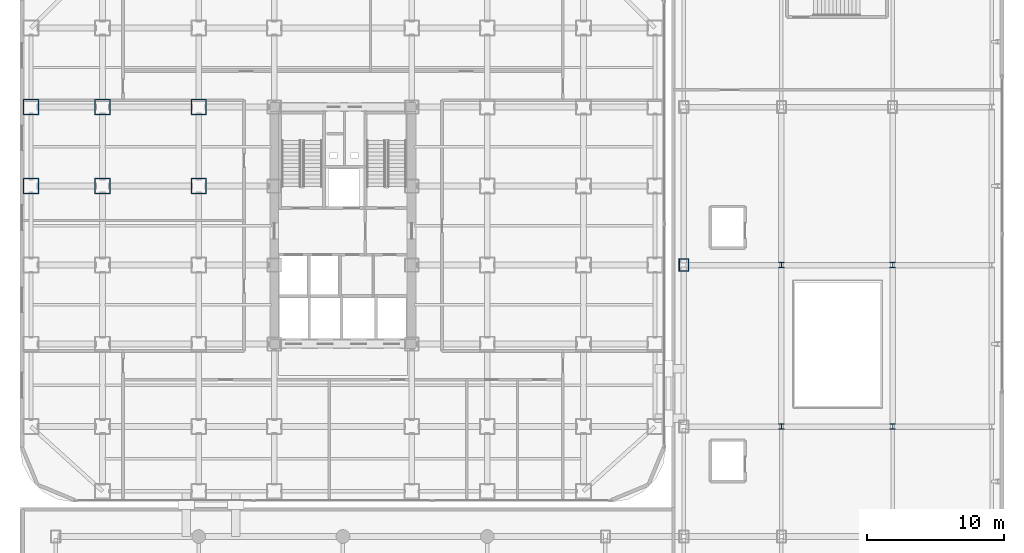
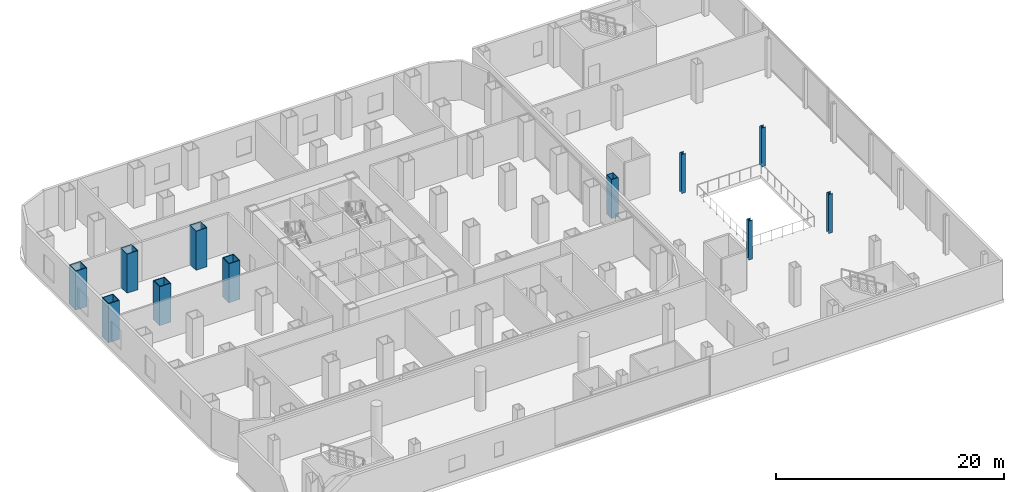
# One storey, part 2 of 26: 11 columns.
"""IFC4 building model written with IfcOpenShell, lengths in metres."""

from ifc_helpers import new_model, si_unit, direction, frame, origin, origin_2d, place, context, subcontext, project, spatial, hollow_rectangle, i_section, extrude, source, transform, mapped, material, material_profile, profile_set, type_object, element, save


model = new_model("IFC4")

# Units and contexts
model_context = context("Model", 3, precision=1e-05, world=origin(), true_north=direction((0.0, 1.0)))
body_context = subcontext(model_context, "Body", "Model", "MODEL_VIEW")
ifc_project = project(units=[si_unit("LENGTHUNIT", "METRE"), si_unit("AREAUNIT", "SQUARE_METRE"), si_unit("VOLUMEUNIT", "CUBIC_METRE"), si_unit("PLANEANGLEUNIT", "RADIAN"), si_unit("MASSUNIT", "GRAM", prefix="KILO")], contexts=[model_context])

# Site, building, storey
site_placement = place(None, origin())
site = spatial("IfcSite", under=ifc_project, at=site_placement, CompositionType="ELEMENT")
building_placement = place(site_placement, origin())
building = spatial("IfcBuilding", under=site, at=building_placement, Name="Kolveth Station Tower", CompositionType="ELEMENT")
storey_placement = place(building_placement, frame((0.0, 0.0, 9.0)))
storey = spatial("IfcBuildingStorey", under=building, at=storey_placement, Name="L02", CompositionType="ELEMENT", Elevation=9.0)

# Columns
ifc_material_1 = material(Name="Steel S460", Category="steel")
ifc_material_profile_1 = material_profile(ifc_material_1, hollow_rectangle(XDim=1.139892578125, YDim=1.139892578125, WallThickness=0.070068359375, at=origin_2d()), Name="BOX1140x1140x70")
ifc_profile_set_1 = profile_set([ifc_material_profile_1], Name="Steel S460")
column_type_1 = type_object("IfcColumnType", Name="Col_C1", PredefinedType="COLUMN", material=ifc_profile_set_1)
shared_shape_1 = source(origin(), body_context, "Body", "SweptSolid", [
    extrude(hollow_rectangle(XDim=1.139892578125, YDim=1.139892578125, WallThickness=0.070068359375, at=origin_2d()), origin(), (0.0, 0.0, 1.0), 4.179931640625),
])
for number, where, z_axis, x_axis, name in (
    (1, (0.800048828125, 23.0, 0.0), (0.0, 0.0, 1.0), (1.0, 0.0, 0.0), "L02 Tower Column W-Y230"),
    (2, (0.800048828125, 28.75, 0.0), (0.0, 0.0, 1.0), (1.0, 0.0, 0.0), "L02 Tower Column W-Y287"),
    (3, (6.0, 23.0, 0.0), (0.0, 0.0, 1.0), (1.0, 0.0, 0.0), "L02 Tower Column G-60-230"),
    (4, (6.0, 28.75, 0.0), (0.0, 0.0, 1.0), (1.0, 0.0, 0.0), "L02 Tower Column G-60-287"),
    (5, (13.0, 23.0, 0.0), (0.0, 0.0, 1.0), (1.0, 0.0, 0.0), "L02 Tower Column G-130-230"),
    (6, (13.0, 28.75, 0.0), (0.0, 0.0, 1.0), (1.0, 0.0, 0.0), "L02 Tower Column G-130-287"),
):
    element("IfcColumn", number, at=place(storey_placement, frame(where, z_axis=z_axis, x_axis=x_axis)), inside=storey, type_object=column_type_1, Name=name, PredefinedType="COLUMN", context=body_context, shape_type="MappedRepresentation", body=[
        mapped(shared_shape_1, transform((0.0, 0.0, 0.0), x_axis=(1.0, 0.0, 0.0), y_axis=(0.0, 1.0, 0.0), z_axis=(0.0, 0.0, 1.0), scale=1.0)),
    ])
ifc_material_2 = material(Name="Steel S355", Category="steel")
ifc_material_profile_2 = material_profile(ifc_material_2, hollow_rectangle(XDim=0.699951171875, YDim=0.89990234375, WallThickness=0.0400390625, at=origin_2d()), Name="BOX900x700x40")
ifc_profile_set_2 = profile_set([ifc_material_profile_2], Name="Steel S355")
column_type_2 = type_object("IfcColumnType", Name="Col_SC1", PredefinedType="COLUMN", material=ifc_profile_set_2)
shared_shape_2 = source(origin(), body_context, "Body", "SweptSolid", [
    extrude(hollow_rectangle(XDim=0.699951171875, YDim=0.89990234375, WallThickness=0.0400390625, at=origin_2d()), origin(), (0.0, 0.0, 1.0), 4.179931640625),
])
column_placement = place(storey_placement, frame((48.300048828125, 17.25, 0.0), z_axis=(0.0, 0.0, 1.0), x_axis=(1.0, 0.0, 0.0)))
element("IfcColumn", 7, at=column_placement, inside=storey, type_object=column_type_2, Name="L02 Station Column SE-1-4", PredefinedType="COLUMN", context=body_context, shape_type="MappedRepresentation", body=[
    mapped(shared_shape_2, transform((0.0, 0.0, 0.0), x_axis=(1.0, 0.0, 0.0), y_axis=(0.0, 1.0, 0.0), z_axis=(0.0, 0.0, 1.0), scale=1.0)),
])
ifc_material_profile_3 = material_profile(ifc_material_2, i_section(OverallWidth=0.39892578125, OverallDepth=0.39306640625, WebThickness=0.022705078125, FlangeThickness=0.03662109375, at=origin_2d()), Name="W360x287")
ifc_profile_set_3 = profile_set([ifc_material_profile_3], Name="Steel S355")
column_type_3 = type_object("IfcColumnType", Name="Col_CW1", PredefinedType="COLUMN", material=ifc_profile_set_3)
shared_shape_3 = source(origin(), body_context, "Body", "SweptSolid", [
    extrude(i_section(OverallWidth=0.39892578125, OverallDepth=0.39306640625, WebThickness=0.022705078125, FlangeThickness=0.03662109375, at=origin_2d()), origin(), (0.0, 0.0, 1.0), 4.179931640625),
])
for number, where, z_axis, x_axis, name in (
    (8, (55.39990234375, 5.5, 0.0), (0.0, 0.0, 1.0), (1.0, 0.0, 0.0), "L02 Station Column SE-2-3"),
    (9, (55.39990234375, 17.25, 0.0), (0.0, 0.0, 1.0), (1.0, 0.0, 0.0), "L02 Station Column SE-2-4"),
    (10, (63.5, 5.5, 0.0), (0.0, 0.0, 1.0), (1.0, 0.0, 0.0), "L02 Station Column SE-3-3"),
    (11, (63.5, 17.25, 0.0), (0.0, 0.0, 1.0), (1.0, 0.0, 0.0), "L02 Station Column SE-3-4"),
):
    element("IfcColumn", number, at=place(storey_placement, frame(where, z_axis=z_axis, x_axis=x_axis)), inside=storey, type_object=column_type_3, Name=name, PredefinedType="COLUMN", context=body_context, shape_type="MappedRepresentation", body=[
        mapped(shared_shape_3, transform((0.0, 0.0, 0.0), x_axis=(1.0, 0.0, 0.0), y_axis=(0.0, 1.0, 0.0), z_axis=(0.0, 0.0, 1.0), scale=1.0)),
    ])

save(model, "model.ifc")
